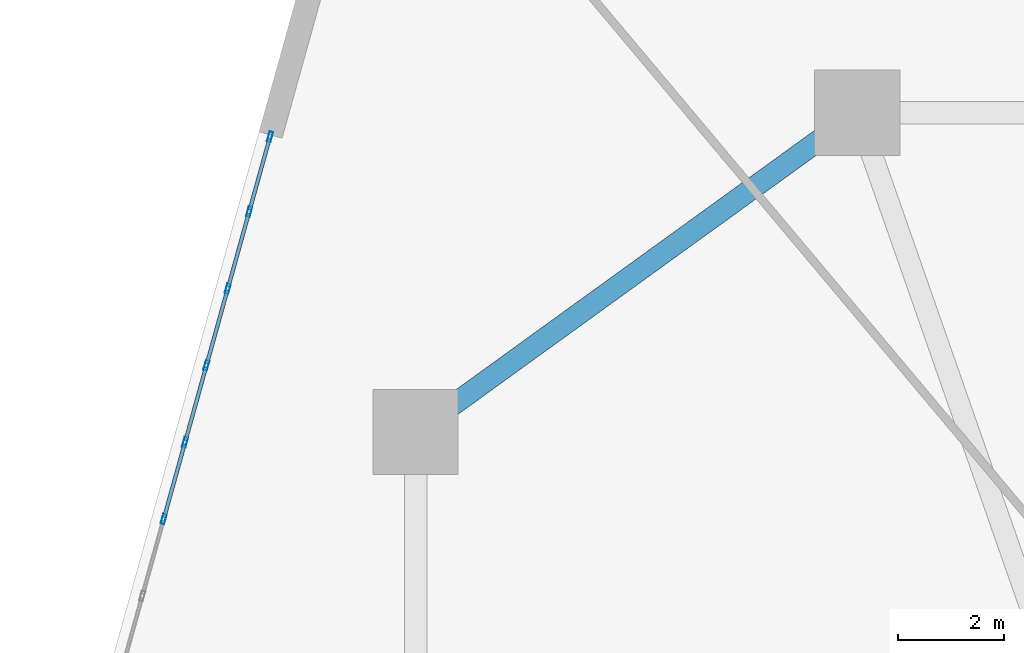
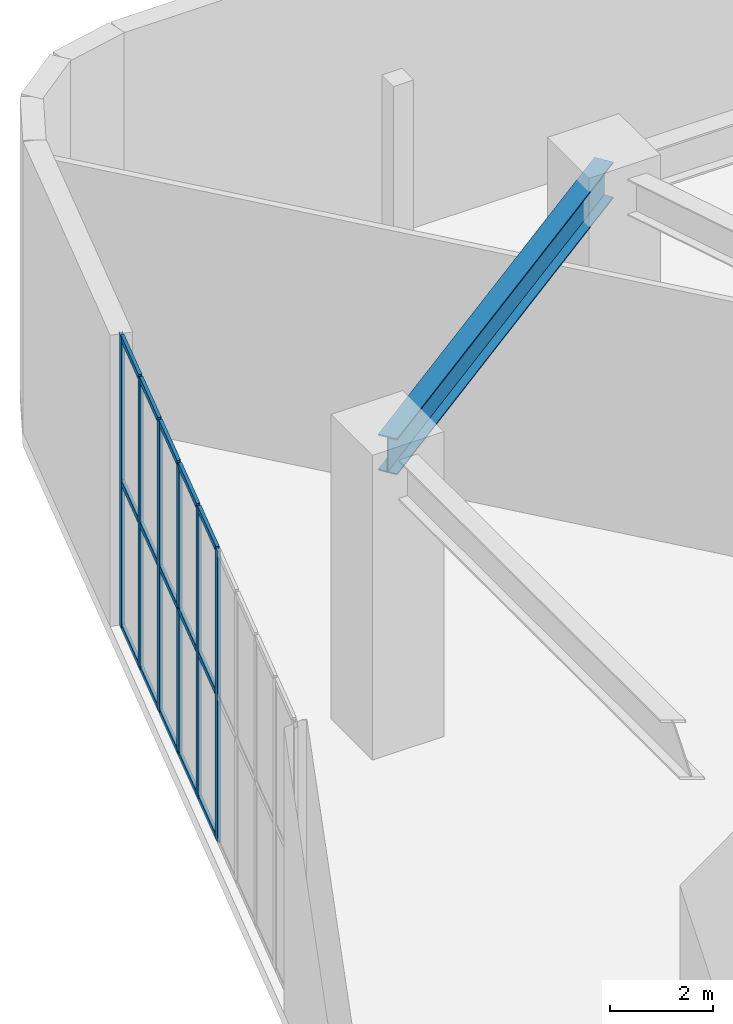
# One storey, part 8 of 17: 21 members, 1 beam, 1 element without a shape of its own.
"""IFC4 building model written with IfcOpenShell, lengths in metres."""

from ifc_helpers import new_model, si_unit, direction, frame, origin, origin_2d, place, context, subcontext, project, spatial, hollow_rectangle, i_section, extrude, material, layer, layer_set, material_profile, profile_set, type_object, element, aggregate, save


model = new_model("IFC4")

# Units and contexts
model_context = context("Model", 3, precision=1e-05, world=origin(), true_north=direction((0.0, 1.0)))
body_context = subcontext(model_context, "Body", "Model", "MODEL_VIEW")
ifc_project = project(units=[si_unit("LENGTHUNIT", "METRE"), si_unit("AREAUNIT", "SQUARE_METRE"), si_unit("VOLUMEUNIT", "CUBIC_METRE"), si_unit("PLANEANGLEUNIT", "RADIAN"), si_unit("MASSUNIT", "GRAM", prefix="KILO")], contexts=[model_context])

# Site, building, storey
site_placement = place(None, origin())
site = spatial("IfcSite", under=ifc_project, at=site_placement, CompositionType="ELEMENT")
building_placement = place(site_placement, origin())
building = spatial("IfcBuilding", under=site, at=building_placement, Name="Kilnhurst Terrace Hotel", CompositionType="ELEMENT")
storey_placement = place(building_placement, frame((0.0, 0.0, 11.39990234375)))
storey = spatial("IfcBuildingStorey", under=building, at=storey_placement, Name="L02", CompositionType="ELEMENT", Elevation=11.39990234375)

# Beam
ifc_material_1 = material(Name="Steel ASTM A992 Grade 50", Category="steel")
ifc_material_profile_1 = material_profile(ifc_material_1, i_section(OverallWidth=0.39990234375, OverallDepth=0.85546875, WebThickness=0.018310546875, FlangeThickness=0.029296875, at=origin_2d()), Name="W33X201")
ifc_profile_set_1 = profile_set([ifc_material_profile_1], Name="Steel ASTM A992 Grade 50")
beam_type = type_object("IfcBeamType", Name="BM-STL-W33X201", PredefinedType="BEAM", material=ifc_profile_set_1)
beam_placement = place(storey_placement, frame((-21.5, 13.5, 6.4521484375), z_axis=(0.810423314702, 0.585844732833, 0.0), x_axis=(-0.585844732833, 0.810423314702, 0.0)))
element("IfcBeam", 1, at=beam_placement, inside=storey, type_object=beam_type, Name="L02 Podium Frame Beam 3", PredefinedType="BEAM", context=body_context, shape_type="SweptSolid", body=[
    extrude(i_section(OverallWidth=0.39990234375, OverallDepth=0.85546875, WebThickness=0.018310546875, FlangeThickness=0.029296875, at=origin_2d()), origin(), (0.0, 0.0, 1.0), 10.24169921875),
])

# Curtain wall, members
ifc_material_2 = material(Name="Anodized Aluminium Alloy 6063-T6 and Low-E Glass", Category="aluminium")
ifc_layer = layer(ifc_material_2, 0.219970703125, Name="Anodized Aluminium Alloy 6063-T6 and Low-E Glass")
ifc_layer_set = layer_set([ifc_layer], Name="Anodized Aluminium Alloy 6063-T6 and Low-E Glass")
curtain_wall_type = type_object("IfcCurtainWallType", Name="CW-POD-TERR", PredefinedType="NOTDEFINED", material=ifc_layer_set)
curtain_wall_placement = place(storey_placement, origin())
curtain_wall = element("IfcCurtainWall", 2, at=curtain_wall_placement, inside=storey, type_object=curtain_wall_type, Name="L02 Curtain Wall CW-L02-F5-1", PredefinedType="NOTDEFINED")
ifc_material_3 = material(Name="Extruded Aluminium Alloy 6063-T6", Category="aluminium")
ifc_material_profile_2 = material_profile(ifc_material_3, hollow_rectangle(XDim=0.070068359375, YDim=0.18994140625, WallThickness=0.00390625, at=origin_2d()), Name="CWM70X190")
ifc_profile_set_2 = profile_set([ifc_material_profile_2], Name="Extruded Aluminium Alloy 6063-T6")
member_type_1 = type_object("IfcMemberType", Name="MEM-CWM70X190", PredefinedType="MULLION", material=ifc_profile_set_2)
member_1_placement = place(storey_placement, frame((-24.23486328125, 19.048828125, 0.0), z_axis=(0.0, 0.0, 1.0), x_axis=(0.963421096295, -0.267992147673, 0.0)))
member_1 = element("IfcMember", 3, at=member_1_placement, type_object=member_type_1, Name="CWT-2 mullion 1", PredefinedType="MULLION", context=body_context, shape_type="SweptSolid", body=[
    extrude(hollow_rectangle(XDim=0.070068359375, YDim=0.18994140625, WallThickness=0.00390625, at=origin_2d()), origin(), (0.0, 0.0, 1.0), 6.880126953125),
])
member_2_placement = place(storey_placement, frame((-24.627197265625, 17.638427734375, 0.0), z_axis=(0.0, 0.0, 1.0), x_axis=(0.963421096295, -0.267992147673, 0.0)))
member_2 = element("IfcMember", 4, at=member_2_placement, type_object=member_type_1, Name="CWT-2 mullion 2", PredefinedType="MULLION", context=body_context, shape_type="SweptSolid", body=[
    extrude(hollow_rectangle(XDim=0.070068359375, YDim=0.18994140625, WallThickness=0.00390625, at=origin_2d()), origin(), (0.0, 0.0, 1.0), 6.880126953125),
])
member_3_placement = place(storey_placement, frame((-25.02880859375, 16.194580078125, 0.0), z_axis=(0.0, 0.0, 1.0), x_axis=(0.963421096295, -0.267992147673, 0.0)))
member_3 = element("IfcMember", 5, at=member_3_placement, type_object=member_type_1, Name="CWT-2 mullion 3", PredefinedType="MULLION", context=body_context, shape_type="SweptSolid", body=[
    extrude(hollow_rectangle(XDim=0.070068359375, YDim=0.18994140625, WallThickness=0.00390625, at=origin_2d()), origin(), (0.0, 0.0, 1.0), 6.880126953125),
])
member_4_placement = place(storey_placement, frame((-25.430419921875, 14.75048828125, 0.0), z_axis=(0.0, 0.0, 1.0), x_axis=(0.963421096295, -0.267992147673, 0.0)))
member_4 = element("IfcMember", 6, at=member_4_placement, type_object=member_type_1, Name="CWT-2 mullion 4", PredefinedType="MULLION", context=body_context, shape_type="SweptSolid", body=[
    extrude(hollow_rectangle(XDim=0.070068359375, YDim=0.18994140625, WallThickness=0.00390625, at=origin_2d()), origin(), (0.0, 0.0, 1.0), 6.880126953125),
])
member_5_placement = place(storey_placement, frame((-25.832275390625, 13.306396484375, 0.0), z_axis=(0.0, 0.0, 1.0), x_axis=(0.963421096295, -0.267992147673, 0.0)))
member_5 = element("IfcMember", 7, at=member_5_placement, type_object=member_type_1, Name="CWT-2 mullion 5", PredefinedType="MULLION", context=body_context, shape_type="SweptSolid", body=[
    extrude(hollow_rectangle(XDim=0.070068359375, YDim=0.18994140625, WallThickness=0.00390625, at=origin_2d()), origin(), (0.0, 0.0, 1.0), 6.880126953125),
])
member_6_placement = place(storey_placement, frame((-26.23388671875, 11.8623046875, 0.0), z_axis=(0.0, 0.0, 1.0), x_axis=(0.963421096295, -0.267992147673, 0.0)))
member_6 = element("IfcMember", 8, at=member_6_placement, type_object=member_type_1, Name="CWT-2 mullion 6", PredefinedType="MULLION", context=body_context, shape_type="SweptSolid", body=[
    extrude(hollow_rectangle(XDim=0.070068359375, YDim=0.18994140625, WallThickness=0.00390625, at=origin_2d()), origin(), (0.0, 0.0, 1.0), 6.880126953125),
])
ifc_material_profile_3 = material_profile(ifc_material_3, hollow_rectangle(XDim=0.070068359375, YDim=0.135009765625, WallThickness=0.00390625, at=origin_2d()), Name="CWT70X135")
ifc_profile_set_3 = profile_set([ifc_material_profile_3], Name="Extruded Aluminium Alloy 6063-T6")
member_type_2 = type_object("IfcMemberType", Name="MEM-CWT70X135", PredefinedType="USERDEFINED", material=ifc_profile_set_3)
member_7_placement = place(storey_placement, frame((-24.244140625, 19.01513671875, 0.03515625), z_axis=(-0.268005220617, -0.963417459735, 0.0), x_axis=(0.963417459735, -0.268005220617, 0.0)))
member_7 = element("IfcMember", 9, at=member_7_placement, type_object=member_type_2, Name="CWT-2 transom 1.1", ObjectType="TRANSOM", PredefinedType="USERDEFINED", context=body_context, shape_type="SweptSolid", body=[
    extrude(hollow_rectangle(XDim=0.070068359375, YDim=0.135009765625, WallThickness=0.00390625, at=origin_2d()), origin(), (0.0, 0.0, 1.0), 1.393798828125),
])
member_8_placement = place(storey_placement, frame((-24.244140625, 19.01513671875, 3.440185546875), z_axis=(-0.268005220617, -0.963417459735, 0.0), x_axis=(0.963417459735, -0.268005220617, 0.0)))
member_8 = element("IfcMember", 10, at=member_8_placement, type_object=member_type_2, Name="CWT-2 transom 1.2", ObjectType="TRANSOM", PredefinedType="USERDEFINED", context=body_context, shape_type="SweptSolid", body=[
    extrude(hollow_rectangle(XDim=0.070068359375, YDim=0.135009765625, WallThickness=0.00390625, at=origin_2d()), origin(), (0.0, 0.0, 1.0), 1.393798828125),
])
member_9_placement = place(storey_placement, frame((-24.244140625, 19.01513671875, 6.84521484375), z_axis=(-0.268005220617, -0.963417459735, 0.0), x_axis=(0.963417459735, -0.268005220617, 0.0)))
member_9 = element("IfcMember", 11, at=member_9_placement, type_object=member_type_2, Name="CWT-2 transom 1.3", ObjectType="TRANSOM", PredefinedType="USERDEFINED", context=body_context, shape_type="SweptSolid", body=[
    extrude(hollow_rectangle(XDim=0.070068359375, YDim=0.135009765625, WallThickness=0.00390625, at=origin_2d()), origin(), (0.0, 0.0, 1.0), 1.393798828125),
])
member_10_placement = place(storey_placement, frame((-24.636474609375, 17.604736328125, 0.03515625), z_axis=(-0.267943506978, -0.963434625218, 0.0), x_axis=(0.963434625218, -0.267943506978, 0.0)))
member_10 = element("IfcMember", 12, at=member_10_placement, type_object=member_type_2, Name="CWT-2 transom 2.1", ObjectType="TRANSOM", PredefinedType="USERDEFINED", context=body_context, shape_type="SweptSolid", body=[
    extrude(hollow_rectangle(XDim=0.070068359375, YDim=0.135009765625, WallThickness=0.00390625, at=origin_2d()), origin(), (0.0, 0.0, 1.0), 1.4287109375),
])
member_11_placement = place(storey_placement, frame((-24.636474609375, 17.604736328125, 3.440185546875), z_axis=(-0.267943506978, -0.963434625218, 0.0), x_axis=(0.963434625218, -0.267943506978, 0.0)))
member_11 = element("IfcMember", 13, at=member_11_placement, type_object=member_type_2, Name="CWT-2 transom 2.2", ObjectType="TRANSOM", PredefinedType="USERDEFINED", context=body_context, shape_type="SweptSolid", body=[
    extrude(hollow_rectangle(XDim=0.070068359375, YDim=0.135009765625, WallThickness=0.00390625, at=origin_2d()), origin(), (0.0, 0.0, 1.0), 1.4287109375),
])
member_12_placement = place(storey_placement, frame((-24.636474609375, 17.604736328125, 6.84521484375), z_axis=(-0.267943506978, -0.963434625218, 0.0), x_axis=(0.963434625218, -0.267943506978, 0.0)))
member_12 = element("IfcMember", 14, at=member_12_placement, type_object=member_type_2, Name="CWT-2 transom 2.3", ObjectType="TRANSOM", PredefinedType="USERDEFINED", context=body_context, shape_type="SweptSolid", body=[
    extrude(hollow_rectangle(XDim=0.070068359375, YDim=0.135009765625, WallThickness=0.00390625, at=origin_2d()), origin(), (0.0, 0.0, 1.0), 1.4287109375),
])
member_13_placement = place(storey_placement, frame((-25.0380859375, 16.160888671875, 0.03515625), z_axis=(-0.268057982455, -0.963402780794, 0.0), x_axis=(0.963402780794, -0.268057982455, 0.0)))
member_13 = element("IfcMember", 15, at=member_13_placement, type_object=member_type_2, Name="CWT-2 transom 3.1", ObjectType="TRANSOM", PredefinedType="USERDEFINED", context=body_context, shape_type="SweptSolid", body=[
    extrude(hollow_rectangle(XDim=0.070068359375, YDim=0.135009765625, WallThickness=0.00390625, at=origin_2d()), origin(), (0.0, 0.0, 1.0), 1.428955078125),
])
member_14_placement = place(storey_placement, frame((-25.0380859375, 16.160888671875, 3.440185546875), z_axis=(-0.268057982455, -0.963402780794, 0.0), x_axis=(0.963402780794, -0.268057982455, 0.0)))
member_14 = element("IfcMember", 16, at=member_14_placement, type_object=member_type_2, Name="CWT-2 transom 3.2", ObjectType="TRANSOM", PredefinedType="USERDEFINED", context=body_context, shape_type="SweptSolid", body=[
    extrude(hollow_rectangle(XDim=0.070068359375, YDim=0.135009765625, WallThickness=0.00390625, at=origin_2d()), origin(), (0.0, 0.0, 1.0), 1.428955078125),
])
member_15_placement = place(storey_placement, frame((-25.0380859375, 16.160888671875, 6.84521484375), z_axis=(-0.268057982455, -0.963402780794, 0.0), x_axis=(0.963402780794, -0.268057982455, 0.0)))
member_15 = element("IfcMember", 17, at=member_15_placement, type_object=member_type_2, Name="CWT-2 transom 3.3", ObjectType="TRANSOM", PredefinedType="USERDEFINED", context=body_context, shape_type="SweptSolid", body=[
    extrude(hollow_rectangle(XDim=0.070068359375, YDim=0.135009765625, WallThickness=0.00390625, at=origin_2d()), origin(), (0.0, 0.0, 1.0), 1.428955078125),
])
member_16_placement = place(storey_placement, frame((-25.43994140625, 14.716796875, 0.03515625), z_axis=(-0.267899401357, -0.963446890468, 0.0), x_axis=(0.963446890468, -0.267899401357, 0.0)))
member_16 = element("IfcMember", 18, at=member_16_placement, type_object=member_type_2, Name="CWT-2 transom 4.1", ObjectType="TRANSOM", PredefinedType="USERDEFINED", context=body_context, shape_type="SweptSolid", body=[
    extrude(hollow_rectangle(XDim=0.070068359375, YDim=0.135009765625, WallThickness=0.00390625, at=origin_2d()), origin(), (0.0, 0.0, 1.0), 1.428955078125),
])
member_17_placement = place(storey_placement, frame((-25.43994140625, 14.716796875, 3.440185546875), z_axis=(-0.267899401357, -0.963446890468, 0.0), x_axis=(0.963446890468, -0.267899401357, 0.0)))
member_17 = element("IfcMember", 19, at=member_17_placement, type_object=member_type_2, Name="CWT-2 transom 4.2", ObjectType="TRANSOM", PredefinedType="USERDEFINED", context=body_context, shape_type="SweptSolid", body=[
    extrude(hollow_rectangle(XDim=0.070068359375, YDim=0.135009765625, WallThickness=0.00390625, at=origin_2d()), origin(), (0.0, 0.0, 1.0), 1.428955078125),
])
member_18_placement = place(storey_placement, frame((-25.43994140625, 14.716796875, 6.84521484375), z_axis=(-0.267899401357, -0.963446890468, 0.0), x_axis=(0.963446890468, -0.267899401357, 0.0)))
member_18 = element("IfcMember", 20, at=member_18_placement, type_object=member_type_2, Name="CWT-2 transom 4.3", ObjectType="TRANSOM", PredefinedType="USERDEFINED", context=body_context, shape_type="SweptSolid", body=[
    extrude(hollow_rectangle(XDim=0.070068359375, YDim=0.135009765625, WallThickness=0.00390625, at=origin_2d()), origin(), (0.0, 0.0, 1.0), 1.428955078125),
])
member_19_placement = place(storey_placement, frame((-25.841552734375, 13.272705078125, 0.03515625), z_axis=(-0.267899401357, -0.963446890468, 0.0), x_axis=(0.963446890468, -0.267899401357, 0.0)))
member_19 = element("IfcMember", 21, at=member_19_placement, type_object=member_type_2, Name="CWT-2 transom 5.1", ObjectType="TRANSOM", PredefinedType="USERDEFINED", context=body_context, shape_type="SweptSolid", body=[
    extrude(hollow_rectangle(XDim=0.070068359375, YDim=0.135009765625, WallThickness=0.00390625, at=origin_2d()), origin(), (0.0, 0.0, 1.0), 1.428955078125),
])
member_20_placement = place(storey_placement, frame((-25.841552734375, 13.272705078125, 3.440185546875), z_axis=(-0.267899401357, -0.963446890468, 0.0), x_axis=(0.963446890468, -0.267899401357, 0.0)))
member_20 = element("IfcMember", 22, at=member_20_placement, type_object=member_type_2, Name="CWT-2 transom 5.2", ObjectType="TRANSOM", PredefinedType="USERDEFINED", context=body_context, shape_type="SweptSolid", body=[
    extrude(hollow_rectangle(XDim=0.070068359375, YDim=0.135009765625, WallThickness=0.00390625, at=origin_2d()), origin(), (0.0, 0.0, 1.0), 1.428955078125),
])
member_21_placement = place(storey_placement, frame((-25.841552734375, 13.272705078125, 6.84521484375), z_axis=(-0.267899401357, -0.963446890468, 0.0), x_axis=(0.963446890468, -0.267899401357, 0.0)))
member_21 = element("IfcMember", 23, at=member_21_placement, type_object=member_type_2, Name="CWT-2 transom 5.3", ObjectType="TRANSOM", PredefinedType="USERDEFINED", context=body_context, shape_type="SweptSolid", body=[
    extrude(hollow_rectangle(XDim=0.070068359375, YDim=0.135009765625, WallThickness=0.00390625, at=origin_2d()), origin(), (0.0, 0.0, 1.0), 1.428955078125),
])
aggregate(curtain_wall, [member_1, member_2, member_3, member_4, member_5, member_6, member_7, member_8, member_9, member_10, member_11, member_12, member_13, member_14, member_15, member_16, member_17, member_18, member_19, member_20, member_21])

save(model, "model.ifc")
